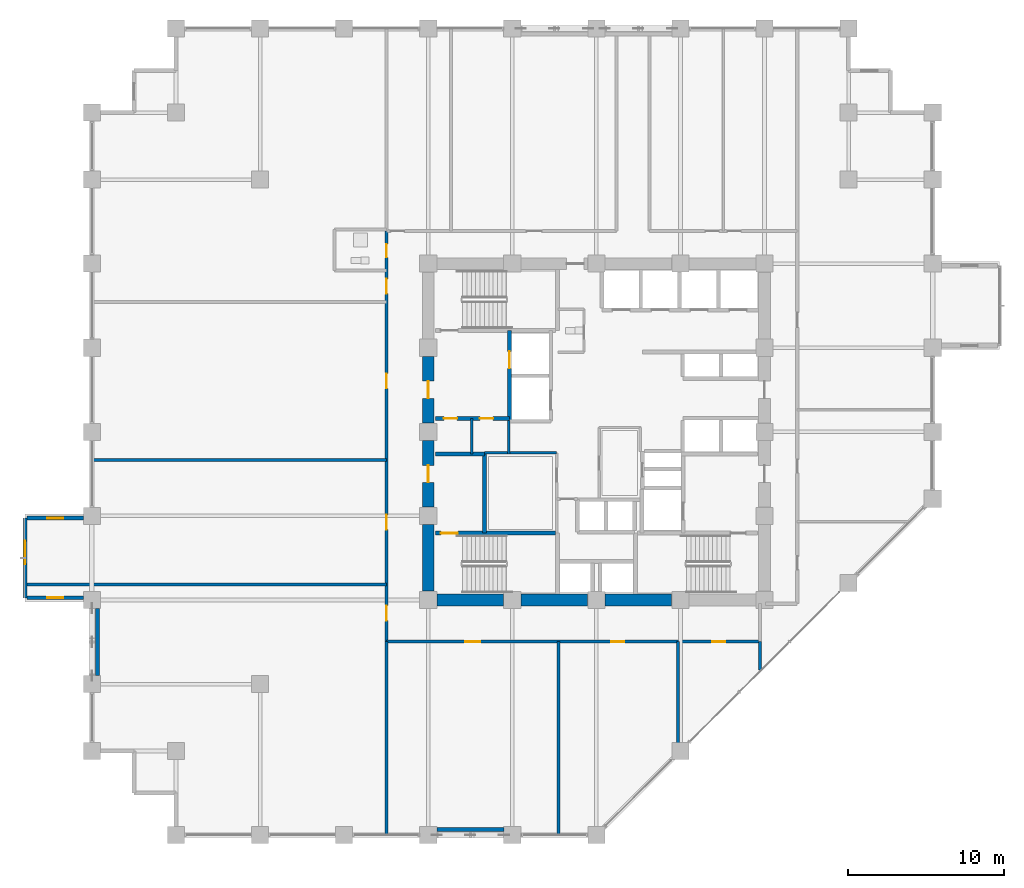
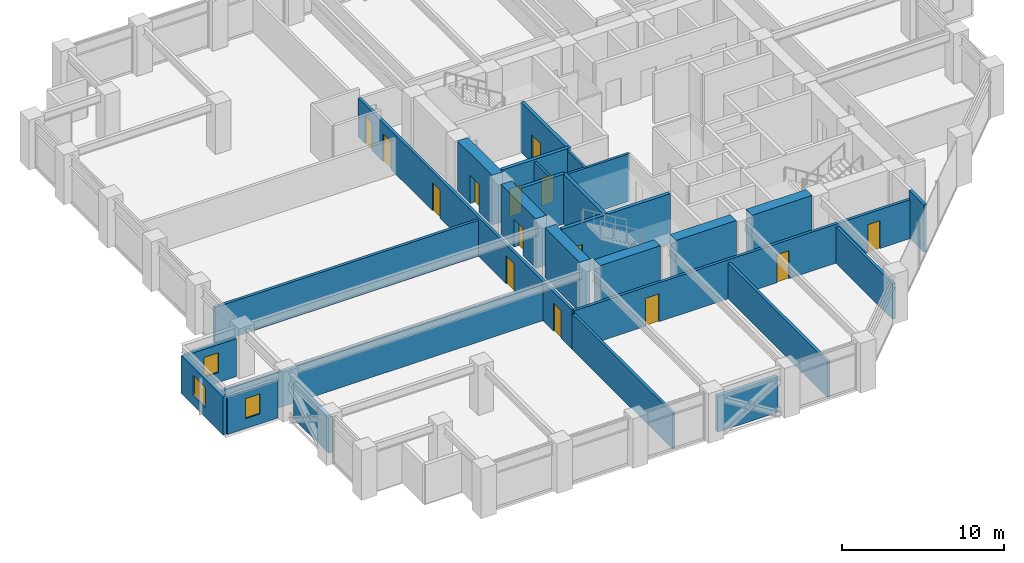
# One storey, part 22 of 29: 27 walls, 14 doors, 3 windows, 17 openings.
"""IFC4 building model written with IfcOpenShell, lengths in metres."""

from ifc_helpers import new_model, si_unit, direction, frame, frame_2d, origin, place, context, subcontext, project, spatial, rectangle, extrude, material, layer, layer_set, type_object, element, fill, save


model = new_model("IFC4")

# Units and contexts
model_context = context("Model", 3, precision=1e-05, world=origin(), true_north=direction((0.0, 1.0)))
body_context = subcontext(model_context, "Body", "Model", "MODEL_VIEW")
ifc_project = project(units=[si_unit("LENGTHUNIT", "METRE"), si_unit("AREAUNIT", "SQUARE_METRE"), si_unit("VOLUMEUNIT", "CUBIC_METRE"), si_unit("PLANEANGLEUNIT", "RADIAN"), si_unit("MASSUNIT", "GRAM", prefix="KILO")], contexts=[model_context])

# Site, building, storey
site_placement = place(None, origin())
site = spatial("IfcSite", under=ifc_project, at=site_placement, CompositionType="ELEMENT")
building_placement = place(site_placement, origin())
building = spatial("IfcBuilding", under=site, at=building_placement, Name="Surkhivell Harbour Commons", CompositionType="ELEMENT")
storey_placement = place(building_placement, frame((0.0, 0.0, 87.0)))
storey = spatial("IfcBuildingStorey", under=building, at=storey_placement, Name="L22", CompositionType="ELEMENT", Elevation=87.0)

# Walls
ifc_material_1 = material(Name="Concrete C60/75", Category="concrete")
ifc_layer_1 = layer(ifc_material_1, 0.75)
ifc_layer_set_1 = layer_set([ifc_layer_1], Name="Concrete C60/75")
wall_type_1 = type_object("IfcWallType", Name="WAL-CORE-750", PredefinedType="SHEAR", material=ifc_layer_set_1)
for number, where, z_axis, x_axis, name in (
    (1, (-10.239990234375, -10.800048828125, 0.0), (0.0, 0.0, 1.0), (1.0, 0.0, 0.0), "L22 Core Shear Wall South 1"),
    (2, (-10.800048828125, -10.239990234375, 0.0), (0.0, 0.0, 1.0), (0.0, 1.0, 0.0), "L22 Core Shear Wall West 1"),
    (3, (-4.840087890625, -10.800048828125, 0.0), (0.0, 0.0, 1.0), (1.0, 0.0, 0.0), "L22 Core Shear Wall South 2"),
):
    element("IfcWall", number, at=place(storey_placement, frame(where, z_axis=z_axis, x_axis=x_axis)), inside=storey, type_object=wall_type_1, Name=name, PredefinedType="SHEAR", context=body_context, shape_type="SweptSolid", body=[
        extrude(rectangle(XDim=4.280029296875, YDim=0.75, at=frame_2d((2.14013671875, 0.0))), origin(), (0.0, 0.0, 1.0), 3.75),
    ])

# Wall, opening, door
wall_1_placement = place(storey_placement, frame((-10.800048828125, -4.840087890625, 0.0), z_axis=(0.0, 0.0, 1.0), x_axis=(0.0, 1.0, 0.0)))
wall_1 = element("IfcWall", 4, at=wall_1_placement, inside=storey, type_object=wall_type_1, Name="L22 Core Shear Wall West 2", PredefinedType="SHEAR", context=body_context, shape_type="SweptSolid", body=[
    extrude(rectangle(XDim=4.280029296875, YDim=0.75, at=frame_2d((2.14013671875, 0.0))), origin(), (0.0, 0.0, 1.0), 3.75),
])
opening_1_placement = place(wall_1_placement, frame((1.590087890625, 0.0, 0.0)))
opening_1 = element("IfcOpeningElement", 5, at=opening_1_placement, cuts=wall_1, Name="Opening ID-2", PredefinedType="OPENING", context=body_context, shape_type="SweptSolid", body=[
    extrude(rectangle(XDim=1.10009765625, YDim=2.10009765625, at=frame_2d((0.550048828125, 1.050048828125))), frame((0.0, 0.385009765625, 0.0), z_axis=(0.0, -1.0, 0.0), x_axis=(1.0, 0.0, 0.0)), (0.0, 0.0, 1.0), 0.77001953125),
])
ifc_material_2 = material(Name="Hardwood-veneered fire-rated door leaf", Category="wood")
door_type_1 = type_object("IfcDoorType", Name="DOR-FD60-1100", OperationType="NOTDEFINED", PredefinedType="DOOR", material=ifc_material_2)
door_1_placement = place(opening_1_placement, origin())
door_1 = element("IfcDoor", 6, at=door_1_placement, inside=storey, type_object=door_type_1, Name="L22 Stair 3 Lobby Corridor Door", OperationType="SINGLE_SWING_LEFT", OverallHeight=2.10009765625, OverallWidth=1.10009765625, PredefinedType="DOOR", context=body_context, shape_type="SweptSolid", body=[
    extrude(rectangle(XDim=1.10009765625, YDim=2.10009765625, at=frame_2d((0.550048828125, 1.050048828125))), frame((0.0, 0.02490234375, 0.0), z_axis=(0.0, -1.0, 0.0), x_axis=(1.0, 0.0, 0.0)), (0.0, 0.0, 1.0), 0.050048828125),
])
fill(opening_1, door_1)

# Wall
wall_2_placement = place(storey_placement, frame((0.56005859375, -10.800048828125, 0.0), z_axis=(0.0, 0.0, 1.0), x_axis=(1.0, 0.0, 0.0)))
element("IfcWall", 7, at=wall_2_placement, inside=storey, type_object=wall_type_1, Name="L22 Core Shear Wall South 3", PredefinedType="SHEAR", context=body_context, shape_type="SweptSolid", body=[
    extrude(rectangle(XDim=4.280029296875, YDim=0.75, at=frame_2d((2.14013671875, 0.0))), origin(), (0.0, 0.0, 1.0), 3.75),
])

# Wall, opening, door
wall_3_placement = place(storey_placement, frame((-10.800048828125, 0.56005859375, 0.0), z_axis=(0.0, 0.0, 1.0), x_axis=(0.0, 1.0, 0.0)))
wall_3 = element("IfcWall", 8, at=wall_3_placement, inside=storey, type_object=wall_type_1, Name="L22 Core Shear Wall West 3", PredefinedType="SHEAR", context=body_context, shape_type="SweptSolid", body=[
    extrude(rectangle(XDim=4.280029296875, YDim=0.75, at=frame_2d((2.14013671875, 0.0))), origin(), (0.0, 0.0, 1.0), 3.75),
])
opening_2_placement = place(wall_3_placement, frame((1.590087890625, 0.0, 0.0)))
opening_2 = element("IfcOpeningElement", 9, at=opening_2_placement, cuts=wall_3, Name="Opening ID-1", PredefinedType="OPENING", context=body_context, shape_type="SweptSolid", body=[
    extrude(rectangle(XDim=1.10009765625, YDim=2.10009765625, at=frame_2d((0.550048828125, 1.050048828125))), frame((0.0, 0.385009765625, 0.0), z_axis=(0.0, -1.0, 0.0), x_axis=(1.0, 0.0, 0.0)), (0.0, 0.0, 1.0), 0.77001953125),
])
door_type_2 = type_object("IfcDoorType", Name="DOR-FD120-1100", OperationType="NOTDEFINED", PredefinedType="DOOR", material=ifc_material_2)
door_2_placement = place(opening_2_placement, origin())
door_2 = element("IfcDoor", 10, at=door_2_placement, inside=storey, type_object=door_type_2, Name="L22 Firefighting Lobby 1 Corridor Door", OperationType="SINGLE_SWING_LEFT", OverallHeight=2.10009765625, OverallWidth=1.10009765625, PredefinedType="DOOR", context=body_context, shape_type="SweptSolid", body=[
    extrude(rectangle(XDim=1.10009765625, YDim=2.10009765625, at=frame_2d((0.550048828125, 1.050048828125))), frame((0.0, 0.02490234375, 0.0), z_axis=(0.0, -1.0, 0.0), x_axis=(1.0, 0.0, 0.0)), (0.0, 0.0, 1.0), 0.050048828125),
])
fill(opening_2, door_2)

# Walls
ifc_material_3 = material(Name="Pale-metal insulated precast concrete C45/55", Category="concrete")
ifc_layer_2 = layer(ifc_material_3, 0.260009765625)
ifc_layer_set_2 = layer_set([ifc_layer_2], Name="Pale-metal insulated precast concrete C45/55")
wall_type_2 = type_object("IfcWallType", Name="WAL-EXT-MTL260", PredefinedType="STANDARD", material=ifc_layer_set_2)
wall_4_placement = place(storey_placement, frame((-10.251953125, -25.5400390625, 0.0), z_axis=(0.0, 0.0, 1.0), x_axis=(1.0, 0.0, 0.0)))
element("IfcWall", 11, at=wall_4_placement, inside=storey, type_object=wall_type_2, Name="L22 Braced-Bay Insulated Spandrel Backing S", PredefinedType="STANDARD", context=body_context, shape_type="SweptSolid", body=[
    extrude(rectangle(XDim=4.303955078125, YDim=0.260009765625, at=frame_2d((2.15185546875, 0.0))), origin(), (0.0, 0.0, 1.0), 2.698974609375),
])
wall_5_placement = place(storey_placement, frame((-32.0400390625, -15.652099609375, 0.0), z_axis=(0.0, 0.0, 1.0), x_axis=(0.0, 1.0, 0.0)))
element("IfcWall", 12, at=wall_5_placement, inside=storey, type_object=wall_type_2, Name="L22 Braced-Bay Insulated Spandrel Backing W", PredefinedType="STANDARD", context=body_context, shape_type="SweptSolid", body=[
    extrude(rectangle(XDim=4.30419921875, YDim=0.260009765625, at=frame_2d((2.152099609375, 0.0))), origin(), (0.0, 0.0, 1.0), 2.698974609375),
])

# Wall, opening, window
ifc_material_4 = material(Name="Bronze-ochre cassette precast concrete C45/55", Category="concrete")
ifc_layer_3 = layer(ifc_material_4, 0.239990234375)
ifc_layer_set_3 = layer_set([ifc_layer_3], Name="Bronze-ochre cassette precast concrete C45/55")
wall_type_3 = type_object("IfcWallType", Name="WAL-EXT-OCH240", PredefinedType="STANDARD", material=ifc_layer_set_3)
wall_6_placement = place(storey_placement, frame((-36.699951171875, -5.52001953125, 0.0), z_axis=(0.0, 0.0, 1.0), x_axis=(0.0, -1.0, 0.0)))
wall_6 = element("IfcWall", 13, at=wall_6_placement, inside=storey, type_object=wall_type_3, Name="L22 Coloured Box Front Wall 02", PredefinedType="STANDARD", context=body_context, shape_type="SweptSolid", body=[
    extrude(rectangle(XDim=5.159912109375, YDim=0.239990234375, at=frame_2d((2.580078125, 0.0))), origin(), (0.0, 0.0, 1.0), 2.85693359375),
])
opening_3_placement = place(wall_6_placement, frame((1.47998046875, 0.0, 0.75)))
opening_3 = element("IfcOpeningElement", 14, at=opening_3_placement, cuts=wall_6, Name="Opening WN-13", PredefinedType="OPENING", context=body_context, shape_type="SweptSolid", body=[
    extrude(rectangle(XDim=1.5, YDim=1.5, at=frame_2d((0.75, 0.75))), frame((0.0, 0.1298828125, 0.0), z_axis=(0.0, -1.0, 0.0), x_axis=(1.0, 0.0, 0.0)), (0.0, 0.0, 1.0), 0.260009765625),
])
ifc_material_5 = material(Name="Thermal-break aluminium frame and double low-E glazing", Category="aluminium")
window_type_1 = type_object("IfcWindowType", Name="WIN-BOX-1500x1500", PartitioningType="SINGLE_PANEL", PredefinedType="WINDOW", material=ifc_material_5)
window_1_placement = place(opening_3_placement, origin())
window_1 = element("IfcWindow", 15, at=window_1_placement, inside=storey, type_object=window_type_1, Name="L22 Coloured Box Square Window 02-1", OverallHeight=1.5, OverallWidth=1.5, PartitioningType="SINGLE_PANEL", PredefinedType="WINDOW", context=body_context, shape_type="SweptSolid", body=[
    extrude(rectangle(XDim=1.5, YDim=1.5, at=frame_2d((0.75, 0.75))), frame((0.0, 0.030029296875, 0.0), z_axis=(0.0, -1.0, 0.0), x_axis=(1.0, 0.0, 0.0)), (0.0, 0.0, 1.0), 0.06005859375),
])
fill(opening_3, window_1)

wall_7_placement = place(storey_placement, frame((-36.56005859375, -10.659912109375, 0.0), z_axis=(0.0, 0.0, 1.0), x_axis=(1.0, 0.0, 0.0)))
wall_7 = element("IfcWall", 16, at=wall_7_placement, inside=storey, type_object=wall_type_3, Name="L22 Coloured Box Return Wall 02S", PredefinedType="STANDARD", context=body_context, shape_type="SweptSolid", body=[
    extrude(rectangle(XDim=3.60595703125, YDim=0.239990234375, at=frame_2d((1.802978515625, 0.0))), origin(), (0.0, 0.0, 1.0), 2.85693359375),
])
opening_4_placement = place(wall_7_placement, frame((1.278076171875, 0.0, 0.75)))
opening_4 = element("IfcOpeningElement", 17, at=opening_4_placement, cuts=wall_7, Name="Opening WN-11", PredefinedType="OPENING", context=body_context, shape_type="SweptSolid", body=[
    extrude(rectangle(XDim=1.050048828125, YDim=1.5, at=frame_2d((0.52490234375, 0.75))), frame((0.0, 0.1298828125, 0.0), z_axis=(0.0, -1.0, 0.0), x_axis=(1.0, 0.0, 0.0)), (0.0, 0.0, 1.0), 0.260009765625),
])
window_type_2 = type_object("IfcWindowType", Name="WIN-SER-1050x1500", PartitioningType="SINGLE_PANEL", PredefinedType="WINDOW", material=ifc_material_5)
window_2_placement = place(opening_4_placement, origin())
window_2 = element("IfcWindow", 18, at=window_2_placement, inside=storey, type_object=window_type_2, Name="L22 Coloured Box Return Window 02S", OverallHeight=1.5, OverallWidth=1.050048828125, PartitioningType="SINGLE_PANEL", PredefinedType="WINDOW", context=body_context, shape_type="SweptSolid", body=[
    extrude(rectangle(XDim=1.050048828125, YDim=1.5, at=frame_2d((0.52490234375, 0.75))), frame((0.0, 0.030029296875, 0.0), z_axis=(0.0, -1.0, 0.0), x_axis=(1.0, 0.0, 0.0)), (0.0, 0.0, 1.0), 0.06005859375),
])
fill(opening_4, window_2)

wall_8_placement = place(storey_placement, frame((-36.56005859375, -5.5400390625, 0.0), z_axis=(0.0, 0.0, 1.0), x_axis=(1.0, 0.0, 0.0)))
wall_8 = element("IfcWall", 19, at=wall_8_placement, inside=storey, type_object=wall_type_3, Name="L22 Coloured Box Return Wall 02N", PredefinedType="STANDARD", context=body_context, shape_type="SweptSolid", body=[
    extrude(rectangle(XDim=3.60595703125, YDim=0.239990234375, at=frame_2d((1.802978515625, 0.0))), origin(), (0.0, 0.0, 1.0), 2.85693359375),
])
opening_5_placement = place(wall_8_placement, frame((1.278076171875, 0.0, 0.75)))
opening_5 = element("IfcOpeningElement", 20, at=opening_5_placement, cuts=wall_8, Name="Opening WN-11", PredefinedType="OPENING", context=body_context, shape_type="SweptSolid", body=[
    extrude(rectangle(XDim=1.050048828125, YDim=1.5, at=frame_2d((0.52490234375, 0.75))), frame((0.0, 0.1298828125, 0.0), z_axis=(0.0, -1.0, 0.0), x_axis=(1.0, 0.0, 0.0)), (0.0, 0.0, 1.0), 0.260009765625),
])
window_3_placement = place(opening_5_placement, origin())
window_3 = element("IfcWindow", 21, at=window_3_placement, inside=storey, type_object=window_type_2, Name="L22 Coloured Box Return Window 02N", OverallHeight=1.5, OverallWidth=1.050048828125, PartitioningType="SINGLE_PANEL", PredefinedType="WINDOW", context=body_context, shape_type="SweptSolid", body=[
    extrude(rectangle(XDim=1.050048828125, YDim=1.5, at=frame_2d((0.52490234375, 0.75))), frame((0.0, 0.030029296875, 0.0), z_axis=(0.0, -1.0, 0.0), x_axis=(1.0, 0.0, 0.0)), (0.0, 0.0, 1.0), 0.06005859375),
])
fill(opening_5, window_3)

# Walls
ifc_material_6 = material(Name="Twin-stud acoustic fireboard partition", Category="other")
ifc_layer_4 = layer(ifc_material_6, 0.14990234375)
ifc_layer_set_4 = layer_set([ifc_layer_4], Name="Twin-stud acoustic fireboard partition")
wall_type_4 = type_object("IfcWallType", Name="WAL-INT-150", PredefinedType="PARTITIONING", material=ifc_layer_set_4)
wall_9_placement = place(storey_placement, frame((-8.0, -1.419921875, 0.0), z_axis=(0.0, 0.0, 1.0), x_axis=(0.0, 1.0, 0.0)))
element("IfcWall", 22, at=wall_9_placement, inside=storey, type_object=wall_type_4, Name="L22 West Core Cut D1", PredefinedType="PARTITIONING", context=body_context, shape_type="SweptSolid", body=[
    extrude(rectangle(XDim=2.27001953125, YDim=0.14990234375, at=frame_2d((1.135009765625, 0.0))), origin(), (0.0, 0.0, 1.0), 3.570068359375),
])
ifc_material_7 = material(Name="High-density acoustic blockwork fire partition", Category="masonry")
ifc_layer_5 = layer(ifc_material_7, 0.175048828125)
ifc_layer_set_5 = layer_set([ifc_layer_5], Name="High-density acoustic blockwork fire partition")
wall_type_5 = type_object("IfcWallType", Name="WAL-INT-175", PredefinedType="PARTITIONING", material=ifc_layer_set_5)
wall_10_placement = place(storey_placement, frame((-7.179931640625, -1.35009765625, 0.0), z_axis=(0.0, 0.0, 1.0), x_axis=(1.0, 0.0, 0.0)))
element("IfcWall", 23, at=wall_10_placement, inside=storey, type_object=wall_type_5, Name="L22 Core Service Bay North Wall", PredefinedType="PARTITIONING", context=body_context, shape_type="SweptSolid", body=[
    extrude(rectangle(XDim=4.6298828125, YDim=0.175048828125, at=frame_2d((2.31494140625, 0.0))), origin(), (0.0, 0.0, 1.0), 3.570068359375),
])
wall_11_placement = place(storey_placement, frame((-5.6201171875, -1.419921875, 0.0), z_axis=(0.0, 0.0, 1.0), x_axis=(0.0, 1.0, 0.0)))
element("IfcWall", 24, at=wall_11_placement, inside=storey, type_object=wall_type_5, Name="L22 West Core Bay East Wall", PredefinedType="PARTITIONING", context=body_context, shape_type="SweptSolid", body=[
    extrude(rectangle(XDim=2.139892578125, YDim=0.175048828125, at=frame_2d((1.06982421875, 0.0))), origin(), (0.0, 0.0, 1.0), 3.570068359375),
])
ifc_material_8 = material(Name="Autoclaved aerated concrete blockwork and fire plaster", Category="masonry")
ifc_layer_6 = layer(ifc_material_8, 0.199951171875)
ifc_layer_set_6 = layer_set([ifc_layer_6], Name="Autoclaved aerated concrete blockwork and fire plaster")
wall_type_6 = type_object("IfcWallType", Name="WAL-INT-200", PredefinedType="PARTITIONING", material=ifc_layer_set_6)
wall_12_placement = place(storey_placement, frame((10.52001953125, -15.295166015625, 0.0), z_axis=(0.0, 0.0, 1.0), x_axis=(0.0, 1.0, 0.0)))
element("IfcWall", 25, at=wall_12_placement, inside=storey, type_object=wall_type_6, Name="L22 South-East Wing Corner Divider", PredefinedType="PARTITIONING", context=body_context, shape_type="SweptSolid", body=[
    extrude(rectangle(XDim=1.815185546875, YDim=0.199951171875, at=frame_2d((0.90771484375, 0.0))), origin(), (0.0, 0.0, 1.0), 3.570068359375),
])
wall_13_placement = place(storey_placement, frame((-13.47998046875, -25.840087890625, 0.0), z_axis=(0.0, 0.0, 1.0), x_axis=(0.0, 1.0, 0.0)))
element("IfcWall", 26, at=wall_13_placement, inside=storey, type_object=wall_type_6, Name="L22 South-West Wing Corner Divider", PredefinedType="PARTITIONING", context=body_context, shape_type="SweptSolid", body=[
    extrude(rectangle(XDim=12.360107421875, YDim=0.199951171875, at=frame_2d((6.18017578125, 0.0))), origin(), (0.0, 0.0, 1.0), 2.698974609375),
])

# Wall, openings, doors
wall_14_placement = place(storey_placement, frame((-13.47998046875, -13.47998046875, 0.0), z_axis=(0.0, 0.0, 1.0), x_axis=(1.0, 0.0, 0.0)))
wall_14 = element("IfcWall", 27, at=wall_14_placement, inside=storey, type_object=wall_type_6, Name="L22 Corridor South Wall", PredefinedType="PARTITIONING", context=body_context, shape_type="SweptSolid", body=[
    extrude(rectangle(XDim=24.0, YDim=0.199951171875, at=frame_2d((12.0, 0.0))), origin(), (0.0, 0.0, 1.0), 2.93310546875),
])
opening_6_placement = place(wall_14_placement, frame((5.070068359375, 0.0, 0.0)))
opening_6 = element("IfcOpeningElement", 28, at=opening_6_placement, cuts=wall_14, Name="Opening ID-4", PredefinedType="OPENING", context=body_context, shape_type="SweptSolid", body=[
    extrude(rectangle(XDim=0.949951171875, YDim=2.10009765625, at=frame_2d((0.47509765625, 1.050048828125))), frame((0.0, 0.10986328125, 0.0), z_axis=(0.0, -1.0, 0.0), x_axis=(1.0, 0.0, 0.0)), (0.0, 0.0, 1.0), 0.219970703125),
])
opening_7_placement = place(wall_14_placement, frame((14.429931640625, 0.0, 0.0)))
opening_7 = element("IfcOpeningElement", 29, at=opening_7_placement, cuts=wall_14, Name="Opening ID-6", PredefinedType="OPENING", context=body_context, shape_type="SweptSolid", body=[
    extrude(rectangle(XDim=0.85009765625, YDim=2.10009765625, at=frame_2d((0.425048828125, 1.050048828125))), frame((0.0, 0.10986328125, 0.0), z_axis=(0.0, -1.0, 0.0), x_axis=(1.0, 0.0, 0.0)), (0.0, 0.0, 1.0), 0.219970703125),
])
opening_8_placement = place(wall_14_placement, frame((20.909912109375, 0.0, 0.0)))
opening_8 = element("IfcOpeningElement", 30, at=opening_8_placement, cuts=wall_14, Name="Opening ID-6", PredefinedType="OPENING", context=body_context, shape_type="SweptSolid", body=[
    extrude(rectangle(XDim=0.85009765625, YDim=2.10009765625, at=frame_2d((0.425048828125, 1.050048828125))), frame((0.0, 0.10986328125, 0.0), z_axis=(0.0, -1.0, 0.0), x_axis=(1.0, 0.0, 0.0)), (0.0, 0.0, 1.0), 0.219970703125),
])
door_type_3 = type_object("IfcDoorType", Name="DOR-FD30-850", OperationType="NOTDEFINED", PredefinedType="DOOR", material=ifc_material_2)
door_3_placement = place(opening_7_placement, origin())
door_3 = element("IfcDoor", 31, at=door_3_placement, inside=storey, type_object=door_type_3, Name="L22 Resident Social Lounge 2 South Door", OperationType="SINGLE_SWING_RIGHT", OverallHeight=2.10009765625, OverallWidth=0.85009765625, PredefinedType="DOOR", context=body_context, shape_type="SweptSolid", body=[
    extrude(rectangle(XDim=0.85009765625, YDim=2.10009765625, at=frame_2d((0.425048828125, 1.050048828125))), frame((0.0, 0.02490234375, 0.0), z_axis=(0.0, -1.0, 0.0), x_axis=(1.0, 0.0, 0.0)), (0.0, 0.0, 1.0), 0.050048828125),
])
fill(opening_7, door_3)
door_4_placement = place(opening_8_placement, origin())
door_4 = element("IfcDoor", 32, at=door_4_placement, inside=storey, type_object=door_type_3, Name="L22 Resident Social Lounge 3 South Door", OperationType="SINGLE_SWING_LEFT", OverallHeight=2.10009765625, OverallWidth=0.85009765625, PredefinedType="DOOR", context=body_context, shape_type="SweptSolid", body=[
    extrude(rectangle(XDim=0.85009765625, YDim=2.10009765625, at=frame_2d((0.425048828125, 1.050048828125))), frame((0.0, 0.02490234375, 0.0), z_axis=(0.0, -1.0, 0.0), x_axis=(1.0, 0.0, 0.0)), (0.0, 0.0, 1.0), 0.050048828125),
])
fill(opening_8, door_4)
door_type_4 = type_object("IfcDoorType", Name="DOR-FD60-950", OperationType="NOTDEFINED", PredefinedType="DOOR", material=ifc_material_2)
door_5_placement = place(opening_6_placement, origin())
door_5 = element("IfcDoor", 33, at=door_5_placement, inside=storey, type_object=door_type_4, Name="L22 Harbour Social Lounge South Door", OperationType="SINGLE_SWING_LEFT", OverallHeight=2.10009765625, OverallWidth=0.949951171875, PredefinedType="DOOR", context=body_context, shape_type="SweptSolid", body=[
    extrude(rectangle(XDim=0.949951171875, YDim=2.10009765625, at=frame_2d((0.47509765625, 1.050048828125))), frame((0.0, 0.02490234375, 0.0), z_axis=(0.0, -1.0, 0.0), x_axis=(1.0, 0.0, 0.0)), (0.0, 0.0, 1.0), 0.050048828125),
])
fill(opening_6, door_5)

wall_15_placement = place(storey_placement, frame((-13.47998046875, -13.47998046875, 0.0), z_axis=(0.0, 0.0, 1.0), x_axis=(0.0, 1.0, 0.0)))
wall_15 = element("IfcWall", 34, at=wall_15_placement, inside=storey, type_object=wall_type_6, Name="L22 Corridor West Wall", PredefinedType="PARTITIONING", context=body_context, shape_type="SweptSolid", body=[
    extrude(rectangle(XDim=26.3798828125, YDim=0.199951171875, at=frame_2d((13.18994140625, 0.0))), origin(), (0.0, 0.0, 1.0), 2.93310546875),
])
opening_9_placement = place(wall_15_placement, frame((1.360107421875, 0.0, 0.0)))
opening_9 = element("IfcOpeningElement", 35, at=opening_9_placement, cuts=wall_15, Name="Opening ID-4", PredefinedType="OPENING", context=body_context, shape_type="SweptSolid", body=[
    extrude(rectangle(XDim=0.949951171875, YDim=2.10009765625, at=frame_2d((0.47509765625, 1.050048828125))), frame((0.0, 0.10986328125, 0.0), z_axis=(0.0, -1.0, 0.0), x_axis=(1.0, 0.0, 0.0)), (0.0, 0.0, 1.0), 0.219970703125),
])
opening_10_placement = place(wall_15_placement, frame((24.68505859375, 0.0, 0.0)))
opening_10 = element("IfcOpeningElement", 36, at=opening_10_placement, cuts=wall_15, Name="Opening ID-6", PredefinedType="OPENING", context=body_context, shape_type="SweptSolid", body=[
    extrude(rectangle(XDim=0.85009765625, YDim=2.10009765625, at=frame_2d((0.425048828125, 1.050048828125))), frame((0.0, 0.10986328125, 0.0), z_axis=(0.0, -1.0, 0.0), x_axis=(1.0, 0.0, 0.0)), (0.0, 0.0, 1.0), 0.219970703125),
])
opening_11_placement = place(wall_15_placement, frame((22.35009765625, 0.0, 0.0)))
opening_11 = element("IfcOpeningElement", 37, at=opening_11_placement, cuts=wall_15, Name="Opening ID-4", PredefinedType="OPENING", context=body_context, shape_type="SweptSolid", body=[
    extrude(rectangle(XDim=0.949951171875, YDim=2.10009765625, at=frame_2d((0.47509765625, 1.050048828125))), frame((0.0, 0.10986328125, 0.0), z_axis=(0.0, -1.0, 0.0), x_axis=(1.0, 0.0, 0.0)), (0.0, 0.0, 1.0), 0.219970703125),
])
opening_12_placement = place(wall_15_placement, frame((7.195068359375, 0.0, 0.0)))
opening_12 = element("IfcOpeningElement", 38, at=opening_12_placement, cuts=wall_15, Name="Opening ID-4", PredefinedType="OPENING", context=body_context, shape_type="SweptSolid", body=[
    extrude(rectangle(XDim=0.949951171875, YDim=2.10009765625, at=frame_2d((0.47509765625, 1.050048828125))), frame((0.0, 0.10986328125, 0.0), z_axis=(0.0, -1.0, 0.0), x_axis=(1.0, 0.0, 0.0)), (0.0, 0.0, 1.0), 0.219970703125),
])
opening_13_placement = place(wall_15_placement, frame((16.27001953125, 0.0, 0.0)))
opening_13 = element("IfcOpeningElement", 39, at=opening_13_placement, cuts=wall_15, Name="Opening ID-4", PredefinedType="OPENING", context=body_context, shape_type="SweptSolid", body=[
    extrude(rectangle(XDim=0.949951171875, YDim=2.10009765625, at=frame_2d((0.47509765625, 1.050048828125))), frame((0.0, 0.10986328125, 0.0), z_axis=(0.0, -1.0, 0.0), x_axis=(1.0, 0.0, 0.0)), (0.0, 0.0, 1.0), 0.219970703125),
])
door_6_placement = place(opening_10_placement, origin())
door_6 = element("IfcDoor", 40, at=door_6_placement, inside=storey, type_object=door_type_3, Name="L22 Communal Shower Bathroom West Door", OperationType="SINGLE_SWING_RIGHT", OverallHeight=2.10009765625, OverallWidth=0.85009765625, PredefinedType="DOOR", context=body_context, shape_type="SweptSolid", body=[
    extrude(rectangle(XDim=0.85009765625, YDim=2.10009765625, at=frame_2d((0.425048828125, 1.050048828125))), frame((0.0, 0.02490234375, 0.0), z_axis=(0.0, -1.0, 0.0), x_axis=(1.0, 0.0, 0.0)), (0.0, 0.0, 1.0), 0.050048828125),
])
fill(opening_10, door_6)
door_7_placement = place(opening_9_placement, origin())
door_7 = element("IfcDoor", 41, at=door_7_placement, inside=storey, type_object=door_type_4, Name="L22 Shared Communal Kitchen West Door", OperationType="SINGLE_SWING_LEFT", OverallHeight=2.10009765625, OverallWidth=0.949951171875, PredefinedType="DOOR", context=body_context, shape_type="SweptSolid", body=[
    extrude(rectangle(XDim=0.949951171875, YDim=2.10009765625, at=frame_2d((0.47509765625, 1.050048828125))), frame((0.0, 0.02490234375, 0.0), z_axis=(0.0, -1.0, 0.0), x_axis=(1.0, 0.0, 0.0)), (0.0, 0.0, 1.0), 0.050048828125),
])
fill(opening_9, door_7)
door_8_placement = place(opening_11_placement, origin())
door_8 = element("IfcDoor", 42, at=door_8_placement, inside=storey, type_object=door_type_4, Name="L22 Academic Reading Commons West Door", OperationType="SINGLE_SWING_LEFT", OverallHeight=2.10009765625, OverallWidth=0.949951171875, PredefinedType="DOOR", context=body_context, shape_type="SweptSolid", body=[
    extrude(rectangle(XDim=0.949951171875, YDim=2.10009765625, at=frame_2d((0.47509765625, 1.050048828125))), frame((0.0, 0.02490234375, 0.0), z_axis=(0.0, -1.0, 0.0), x_axis=(1.0, 0.0, 0.0)), (0.0, 0.0, 1.0), 0.050048828125),
])
fill(opening_11, door_8)
door_9_placement = place(opening_12_placement, origin())
door_9 = element("IfcDoor", 43, at=door_9_placement, inside=storey, type_object=door_type_4, Name="L22 Hostel Cluster Bedroom 1 West Door", OperationType="SINGLE_SWING_RIGHT", OverallHeight=2.10009765625, OverallWidth=0.949951171875, PredefinedType="DOOR", context=body_context, shape_type="SweptSolid", body=[
    extrude(rectangle(XDim=0.949951171875, YDim=2.10009765625, at=frame_2d((0.47509765625, 1.050048828125))), frame((0.0, 0.02490234375, 0.0), z_axis=(0.0, -1.0, 0.0), x_axis=(1.0, 0.0, 0.0)), (0.0, 0.0, 1.0), 0.050048828125),
])
fill(opening_12, door_9)
door_10_placement = place(opening_13_placement, origin())
door_10 = element("IfcDoor", 44, at=door_10_placement, inside=storey, type_object=door_type_4, Name="L22 Co-Living Dormitory Bedroom 2 West Door", OperationType="SINGLE_SWING_LEFT", OverallHeight=2.10009765625, OverallWidth=0.949951171875, PredefinedType="DOOR", context=body_context, shape_type="SweptSolid", body=[
    extrude(rectangle(XDim=0.949951171875, YDim=2.10009765625, at=frame_2d((0.47509765625, 1.050048828125))), frame((0.0, 0.02490234375, 0.0), z_axis=(0.0, -1.0, 0.0), x_axis=(1.0, 0.0, 0.0)), (0.0, 0.0, 1.0), 0.050048828125),
])
fill(opening_13, door_10)

# Walls
wall_16_placement = place(storey_placement, frame((-2.43994140625, -25.840087890625, 0.0), z_axis=(0.0, 0.0, 1.0), x_axis=(0.0, 1.0, 0.0)))
element("IfcWall", 45, at=wall_16_placement, inside=storey, type_object=wall_type_6, Name="L22 South Partition P1", PredefinedType="PARTITIONING", context=body_context, shape_type="SweptSolid", body=[
    extrude(rectangle(XDim=12.360107421875, YDim=0.199951171875, at=frame_2d((6.18017578125, 0.0))), origin(), (0.0, 0.0, 1.0), 2.698974609375),
])
wall_17_placement = place(storey_placement, frame((5.239990234375, -20.5751953125, 0.0), z_axis=(0.0, 0.0, 1.0), x_axis=(0.0, 1.0, 0.0)))
element("IfcWall", 46, at=wall_17_placement, inside=storey, type_object=wall_type_6, Name="L22 South Partition P2", PredefinedType="PARTITIONING", context=body_context, shape_type="SweptSolid", body=[
    extrude(rectangle(XDim=7.09521484375, YDim=0.199951171875, at=frame_2d((3.547607421875, 0.0))), origin(), (0.0, 0.0, 1.0), 2.698974609375),
])
wall_18_placement = place(storey_placement, frame((-32.340087890625, -1.81005859375, 0.0), z_axis=(0.0, 0.0, 1.0), x_axis=(1.0, 0.0, 0.0)))
element("IfcWall", 47, at=wall_18_placement, inside=storey, type_object=wall_type_6, Name="L22 West Partition BDP1", PredefinedType="PARTITIONING", context=body_context, shape_type="SweptSolid", body=[
    extrude(rectangle(XDim=18.860107421875, YDim=0.199951171875, at=frame_2d((9.43017578125, 0.0))), origin(), (0.0, 0.0, 1.0), 2.698974609375),
])
wall_19_placement = place(storey_placement, frame((-36.639892578125, -9.800048828125, 0.0), z_axis=(0.0, 0.0, 1.0), x_axis=(1.0, 0.0, 0.0)))
element("IfcWall", 48, at=wall_19_placement, inside=storey, type_object=wall_type_6, Name="L22 West Partition PBOT", PredefinedType="PARTITIONING", context=body_context, shape_type="SweptSolid", body=[
    extrude(rectangle(XDim=23.159912109375, YDim=0.199951171875, at=frame_2d((11.580078125, 0.0))), origin(), (0.0, 0.0, 1.0), 2.698974609375),
])

# Wall, opening, door
ifc_material_9 = material(Name="Concrete C50/60", Category="concrete")
ifc_layer_7 = layer(ifc_material_9, 0.25)
ifc_layer_set_7 = layer_set([ifc_layer_7], Name="Concrete C50/60")
wall_type_7 = type_object("IfcWallType", Name="WAL-SHAFT-250", PredefinedType="SHEAR", material=ifc_layer_set_7)
wall_20_placement = place(storey_placement, frame((-5.580078125, 0.719970703125, 0.0), z_axis=(0.0, 0.0, 1.0), x_axis=(0.0, 1.0, 0.0)))
wall_20 = element("IfcWall", 49, at=wall_20_placement, inside=storey, type_object=wall_type_7, Name="L22 Firefighting Lobby 1 East Shaft Wall", PredefinedType="SHEAR", context=body_context, shape_type="SweptSolid", body=[
    extrude(rectangle(XDim=5.7900390625, YDim=0.25, at=frame_2d((2.89501953125, 0.0))), origin(), (0.0, 0.0, 1.0), 3.75),
])
opening_14_placement = place(wall_20_placement, frame((3.35009765625, 0.0, 0.0)))
opening_14 = element("IfcOpeningElement", 50, at=opening_14_placement, cuts=wall_20, Name="Opening LD-1", PredefinedType="OPENING", context=body_context, shape_type="SweptSolid", body=[
    extrude(rectangle(XDim=1.10009765625, YDim=2.10009765625, at=frame_2d((0.550048828125, 1.050048828125))), frame((0.0, 0.135009765625, 0.0), z_axis=(0.0, -1.0, 0.0), x_axis=(1.0, 0.0, 0.0)), (0.0, 0.0, 1.0), 0.27001953125),
])
ifc_material_10 = material(Name="Brushed stainless steel S355", Category="steel")
door_type_5 = type_object("IfcDoorType", Name="DOR-LD-1100", OperationType="SLIDING_TO_LEFT", PredefinedType="DOOR", material=ifc_material_10)
door_11_placement = place(opening_14_placement, origin())
door_11 = element("IfcDoor", 51, at=door_11_placement, inside=storey, type_object=door_type_5, Name="L22 Lift Landing Door LD-FFL1", OperationType="SLIDING_TO_LEFT", OverallHeight=2.10009765625, OverallWidth=1.10009765625, PredefinedType="DOOR", context=body_context, shape_type="SweptSolid", body=[
    extrude(rectangle(XDim=1.10009765625, YDim=2.10009765625, at=frame_2d((0.550048828125, 1.050048828125))), frame((0.0, 0.02490234375, 0.0), z_axis=(0.0, -1.0, 0.0), x_axis=(1.0, 0.0, 0.0)), (0.0, 0.0, 1.0), 0.050048828125),
])
fill(opening_14, door_11)

# Wall, openings, doors
wall_21_placement = place(storey_placement, frame((-10.340087890625, 0.85009765625, 0.0), z_axis=(0.0, 0.0, 1.0), x_axis=(1.0, 0.0, 0.0)))
wall_21 = element("IfcWall", 52, at=wall_21_placement, inside=storey, type_object=wall_type_7, Name="L22 Firefighting Lobby 1 South Wall", PredefinedType="SHEAR", context=body_context, shape_type="SweptSolid", body=[
    extrude(rectangle(XDim=4.760009765625, YDim=0.25, at=frame_2d((2.3798828125, 0.0))), origin(), (0.0, 0.0, 1.0), 3.75),
])
opening_15_placement = place(wall_21_placement, frame((0.550048828125, 0.0, 0.0)))
opening_15 = element("IfcOpeningElement", 53, at=opening_15_placement, cuts=wall_21, Name="Opening ID-6", PredefinedType="OPENING", context=body_context, shape_type="SweptSolid", body=[
    extrude(rectangle(XDim=0.85009765625, YDim=2.10009765625, at=frame_2d((0.425048828125, 1.050048828125))), frame((0.0, 0.135009765625, 0.0), z_axis=(0.0, -1.0, 0.0), x_axis=(1.0, 0.0, 0.0)), (0.0, 0.0, 1.0), 0.27001953125),
])
opening_16_placement = place(wall_21_placement, frame((2.85009765625, 0.0, 0.0)))
opening_16 = element("IfcOpeningElement", 54, at=opening_16_placement, cuts=wall_21, Name="Opening ID-6", PredefinedType="OPENING", context=body_context, shape_type="SweptSolid", body=[
    extrude(rectangle(XDim=0.85009765625, YDim=2.10009765625, at=frame_2d((0.425048828125, 1.050048828125))), frame((0.0, 0.135009765625, 0.0), z_axis=(0.0, -1.0, 0.0), x_axis=(1.0, 0.0, 0.0)), (0.0, 0.0, 1.0), 0.27001953125),
])
door_12_placement = place(opening_15_placement, origin())
door_12 = element("IfcDoor", 55, at=door_12_placement, inside=storey, type_object=door_type_3, Name="L22 West Seminar Pod Door", OperationType="SINGLE_SWING_LEFT", OverallHeight=2.10009765625, OverallWidth=0.85009765625, PredefinedType="DOOR", context=body_context, shape_type="SweptSolid", body=[
    extrude(rectangle(XDim=0.85009765625, YDim=2.10009765625, at=frame_2d((0.425048828125, 1.050048828125))), frame((0.0, 0.02490234375, 0.0), z_axis=(0.0, -1.0, 0.0), x_axis=(1.0, 0.0, 0.0)), (0.0, 0.0, 1.0), 0.050048828125),
])
fill(opening_15, door_12)
door_13_placement = place(opening_16_placement, origin())
door_13 = element("IfcDoor", 56, at=door_13_placement, inside=storey, type_object=door_type_3, Name="L22 West Reading Pod Door", OperationType="SINGLE_SWING_RIGHT", OverallHeight=2.10009765625, OverallWidth=0.85009765625, PredefinedType="DOOR", context=body_context, shape_type="SweptSolid", body=[
    extrude(rectangle(XDim=0.85009765625, YDim=2.10009765625, at=frame_2d((0.425048828125, 1.050048828125))), frame((0.0, 0.02490234375, 0.0), z_axis=(0.0, -1.0, 0.0), x_axis=(1.0, 0.0, 0.0)), (0.0, 0.0, 1.0), 0.050048828125),
])
fill(opening_16, door_13)

# Walls
wall_22_placement = place(storey_placement, frame((-7.179931640625, -6.510009765625, 0.0), z_axis=(0.0, 0.0, 1.0), x_axis=(0.0, 1.0, 0.0)))
element("IfcWall", 57, at=wall_22_placement, inside=storey, type_object=wall_type_7, Name="L22 Stair 3 Lobby East Wall", PredefinedType="SHEAR", context=body_context, shape_type="SweptSolid", body=[
    extrude(rectangle(XDim=5.090087890625, YDim=0.25, at=frame_2d((2.544921875, 0.0))), origin(), (0.0, 0.0, 1.0), 3.75),
])
wall_23_placement = place(storey_placement, frame((-10.340087890625, -1.419921875, 0.0), z_axis=(0.0, 0.0, 1.0), x_axis=(1.0, 0.0, 0.0)))
element("IfcWall", 58, at=wall_23_placement, inside=storey, type_object=wall_type_7, Name="L22 Stair 3 Lobby North Wall", PredefinedType="SHEAR", context=body_context, shape_type="SweptSolid", body=[
    extrude(rectangle(XDim=3.16015625, YDim=0.25, at=frame_2d((1.580078125, 0.0))), origin(), (0.0, 0.0, 1.0), 3.75),
])

# Wall, opening, door
wall_24_placement = place(storey_placement, frame((-10.340087890625, -6.510009765625, 0.0), z_axis=(0.0, 0.0, 1.0), x_axis=(1.0, 0.0, 0.0)))
wall_24 = element("IfcWall", 59, at=wall_24_placement, inside=storey, type_object=wall_type_7, Name="L22 Stair ST3 North Shear Wall", PredefinedType="SHEAR", context=body_context, shape_type="SweptSolid", body=[
    extrude(rectangle(XDim=7.7001953125, YDim=0.25, at=frame_2d((3.85009765625, 0.0))), origin(), (0.0, 0.0, 1.0), 3.75),
])
opening_17_placement = place(wall_24_placement, frame((0.35009765625, 0.0, 0.0)))
opening_17 = element("IfcOpeningElement", 60, at=opening_17_placement, cuts=wall_24, Name="Opening ID-2", PredefinedType="OPENING", context=body_context, shape_type="SweptSolid", body=[
    extrude(rectangle(XDim=1.10009765625, YDim=2.10009765625, at=frame_2d((0.550048828125, 1.050048828125))), frame((0.0, 0.135009765625, 0.0), z_axis=(0.0, -1.0, 0.0), x_axis=(1.0, 0.0, 0.0)), (0.0, 0.0, 1.0), 0.27001953125),
])
door_14_placement = place(opening_17_placement, origin())
door_14 = element("IfcDoor", 61, at=door_14_placement, inside=storey, type_object=door_type_1, Name="L22 Stair ST3 Exit Door", OperationType="SINGLE_SWING_RIGHT", OverallHeight=2.10009765625, OverallWidth=1.10009765625, PredefinedType="DOOR", context=body_context, shape_type="SweptSolid", body=[
    extrude(rectangle(XDim=1.10009765625, YDim=2.10009765625, at=frame_2d((0.550048828125, 1.050048828125))), frame((0.0, 0.02490234375, 0.0), z_axis=(0.0, -1.0, 0.0), x_axis=(1.0, 0.0, 0.0)), (0.0, 0.0, 1.0), 0.050048828125),
])
fill(opening_17, door_14)

save(model, "model.ifc")
